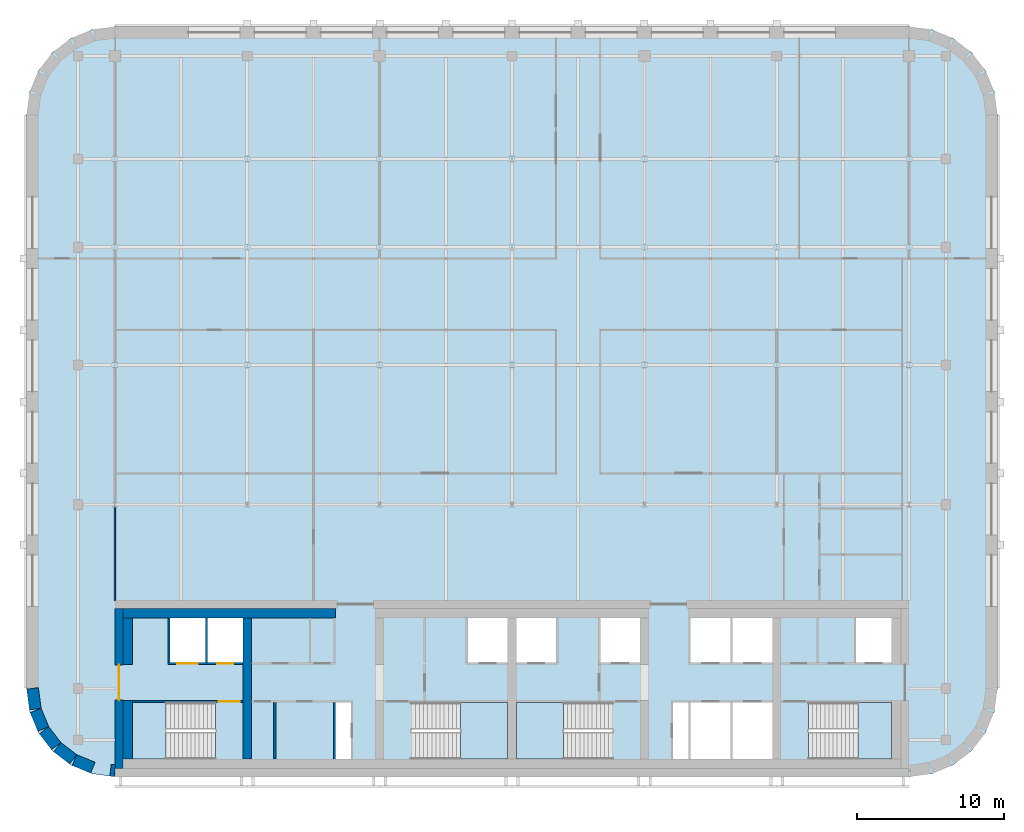
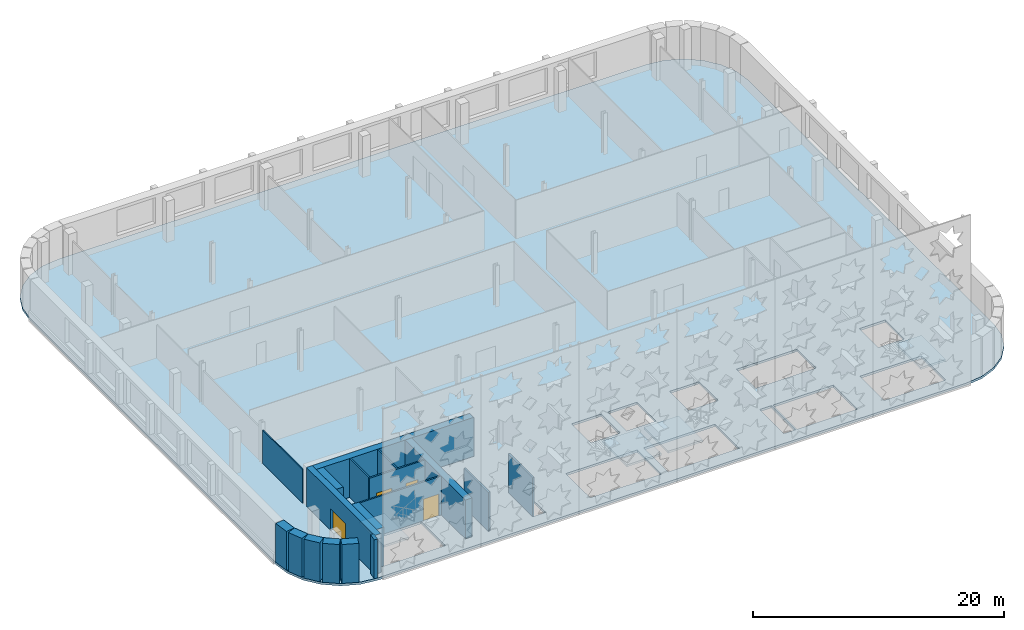
# One storey, part 6 of 14: 18 walls, 5 slabs, 4 doors, 4 openings, 4 elements without a shape of their own.
"""IFC4 building model written with IfcOpenShell, lengths in metres."""

from ifc_helpers import new_model, si_unit, direction, frame, frame_2d, origin, place, context, subcontext, project, spatial, polyline, rectangle, outline, extrude, material, layer, layer_set, type_object, element, fill, aggregate, save


model = new_model("IFC4")

# Units and contexts
model_context = context("Model", 3, precision=1e-05, world=origin(), true_north=direction((0.0, 1.0)))
body_context = subcontext(model_context, "Body", "Model", "MODEL_VIEW")
ifc_project = project(units=[si_unit("LENGTHUNIT", "METRE"), si_unit("AREAUNIT", "SQUARE_METRE"), si_unit("VOLUMEUNIT", "CUBIC_METRE"), si_unit("PLANEANGLEUNIT", "RADIAN"), si_unit("MASSUNIT", "GRAM", prefix="KILO")], contexts=[model_context])

# Site, building, storey
site_placement = place(None, origin())
site = spatial("IfcSite", under=ifc_project, at=site_placement, CompositionType="ELEMENT")
building_placement = place(site_placement, origin())
building = spatial("IfcBuilding", under=site, at=building_placement, Name="Zellij Exchange Tower", CompositionType="ELEMENT")
storey_placement = place(building_placement, frame((0.0, 0.0, 288.5)))
storey = spatial("IfcBuildingStorey", under=building, at=storey_placement, Name="L68", CompositionType="ELEMENT", Elevation=288.5)

# Stair, slab
ifc_material_1 = material(Name="Concrete C40/50", Category="concrete")
stair_type = type_object("IfcStairType", Name="CORE-ST exit stair 1850 wide", PredefinedType="HALF_TURN_STAIR", material=ifc_material_1)
stair_1_placement = place(storey_placement, origin())
stair_1 = element("IfcStair", 1, at=stair_1_placement, inside=storey, type_object=stair_type, Name="L68 exit stair ST1", PredefinedType="HALF_TURN_STAIR")
ifc_layer_1 = layer(ifc_material_1, 0.199951171875)
ifc_layer_set_1 = layer_set([ifc_layer_1], Name="Concrete C40/50")
slab_type_1 = type_object("IfcSlabType", Name="CORE-SL stair landing 200", PredefinedType="LANDING", material=ifc_layer_set_1)
slab_1_placement = place(storey_placement, frame((0.0, 0.0, 1.800048828125)))
slab_1 = element("IfcSlab", 2, at=slab_1_placement, type_object=slab_type_1, Name="ST1 landing 1", PredefinedType="LANDING", context=body_context, shape_type="SweptSolid", body=[
    extrude(outline(polyline([(-23.510009765625, -8.949951171875), (-25.800048828125, -8.949951171875), (-25.800048828125, -12.800048828125), (-23.510009765625, -12.800048828125), (-23.510009765625, -8.949951171875)])), origin(), (0.0, 0.0, 1.0), 0.199951171875),
])
aggregate(stair_1, [slab_1])

stair_2_placement = place(storey_placement, origin())
stair_2 = element("IfcStair", 3, at=stair_2_placement, inside=storey, type_object=stair_type, Name="L68 exit stair ST2", PredefinedType="HALF_TURN_STAIR")
slab_2_placement = place(storey_placement, frame((0.0, 0.0, 1.800048828125)))
slab_2 = element("IfcSlab", 4, at=slab_2_placement, type_object=slab_type_1, Name="ST2 landing 1", PredefinedType="LANDING", context=body_context, shape_type="SweptSolid", body=[
    extrude(outline(polyline([(-3.489990234375, -12.800048828125), (-0.300048828125, -12.800048828125), (-0.300048828125, -8.949951171875), (-3.489990234375, -8.949951171875), (-3.489990234375, -12.800048828125)])), origin(), (0.0, 0.0, 1.0), 0.199951171875),
])
aggregate(stair_2, [slab_2])

stair_3_placement = place(storey_placement, origin())
stair_3 = element("IfcStair", 5, at=stair_3_placement, inside=storey, type_object=stair_type, Name="L68 exit stair ST3", PredefinedType="HALF_TURN_STAIR")
slab_3_placement = place(storey_placement, frame((0.0, 0.0, 1.800048828125)))
slab_3 = element("IfcSlab", 6, at=slab_3_placement, type_object=slab_type_1, Name="ST3 landing 1", PredefinedType="LANDING", context=body_context, shape_type="SweptSolid", body=[
    extrude(outline(polyline([(3.489990234375, -8.949951171875), (0.300048828125, -8.949951171875), (0.300048828125, -12.800048828125), (3.489990234375, -12.800048828125), (3.489990234375, -8.949951171875)])), origin(), (0.0, 0.0, 1.0), 0.199951171875),
])
aggregate(stair_3, [slab_3])

stair_4_placement = place(storey_placement, origin())
stair_4 = element("IfcStair", 7, at=stair_4_placement, inside=storey, type_object=stair_type, Name="L68 exit stair ST4", PredefinedType="HALF_TURN_STAIR")
slab_4_placement = place(storey_placement, frame((0.0, 0.0, 1.800048828125)))
slab_4 = element("IfcSlab", 8, at=slab_4_placement, type_object=slab_type_1, Name="ST4 landing 1", PredefinedType="LANDING", context=body_context, shape_type="SweptSolid", body=[
    extrude(outline(polyline([(23.510009765625, -12.800048828125), (25.800048828125, -12.800048828125), (25.800048828125, -8.949951171875), (23.510009765625, -8.949951171875), (23.510009765625, -12.800048828125)])), origin(), (0.0, 0.0, 1.0), 0.199951171875),
])
aggregate(stair_4, [slab_4])

# Slab
ifc_layer_2 = layer(ifc_material_1, 0.219970703125)
ifc_layer_set_2 = layer_set([ifc_layer_2], Name="Concrete C40/50")
slab_type_2 = type_object("IfcSlabType", Name="STR-FLOOR SLAB 220 C40/50", PredefinedType="FLOOR", material=ifc_layer_set_2)
slab_5_placement = place(storey_placement, frame((0.0, 0.0, -0.22021484375)))
element("IfcSlab", 9, at=slab_5_placement, inside=storey, type_object=slab_type_2, Name="Floor L68", PredefinedType="FLOOR", context=body_context, shape_type="SweptSolid", body=[
    extrude(outline(polyline([(-27.0, -14.0), (-28.552978515625, -13.795654296875), (-30.0, -13.1962890625), (-31.24267578125, -12.24267578125), (-32.1962890625, -11.0), (-32.795654296875, -9.552978515625), (-33.0, -8.0), (-33.0, 31.0), (-32.795654296875, 32.552978515625), (-32.1962890625, 34.0), (-31.24267578125, 35.24267578125), (-30.0, 36.1962890625), (-28.552978515625, 36.795654296875), (-27.0, 37.0), (27.0, 37.0), (28.552978515625, 36.795654296875), (30.0, 36.1962890625), (31.24267578125, 35.24267578125), (32.1962890625, 34.0), (32.795654296875, 32.552978515625), (33.0, 31.0), (33.0, -8.0), (32.795654296875, -9.552978515625), (32.1962890625, -11.0), (31.24267578125, -12.24267578125), (30.0, -13.1962890625), (28.552978515625, -13.795654296875), (27.0, -14.0), (-27.0, -14.0)]), holes=[polyline([(-25.800048828125, -8.949951171875), (-25.800048828125, -12.800048828125), (-20.153076171875, -12.800048828125), (-20.153076171875, -8.949951171875), (-25.800048828125, -8.949951171875)]), polyline([(-10.949951171875, -8.949951171875), (-12.0, -8.949951171875), (-12.0, -12.800048828125), (-10.949951171875, -12.800048828125), (-10.949951171875, -8.949951171875)]), polyline([(-0.300048828125, -8.949951171875), (-6.846923828125, -8.949951171875), (-6.846923828125, -12.800048828125), (-0.300048828125, -12.800048828125), (-0.300048828125, -8.949951171875)]), polyline([(0.300048828125, -8.949951171875), (0.300048828125, -12.800048828125), (6.846923828125, -12.800048828125), (6.846923828125, -8.949951171875), (0.300048828125, -8.949951171875)]), polyline([(-18.300048828125, -3.199951171875), (-23.25, -3.199951171875), (-23.25, -6.22509765625), (-18.300048828125, -6.22509765625), (-18.300048828125, -3.199951171875)]), polyline([(-0.300048828125, -3.199951171875), (-3.0, -3.199951171875), (-3.0, -6.22509765625), (-0.300048828125, -6.22509765625), (-0.300048828125, -3.199951171875)]), polyline([(0.300048828125, -3.199951171875), (0.300048828125, -6.22509765625), (3.0, -6.22509765625), (3.0, -3.199951171875), (0.300048828125, -3.199951171875)]), polyline([(12.0, -8.949951171875), (10.949951171875, -8.949951171875), (10.949951171875, -12.800048828125), (12.0, -12.800048828125), (12.0, -8.949951171875)]), polyline([(17.699951171875, -8.949951171875), (12.14990234375, -8.949951171875), (12.14990234375, -12.800048828125), (17.699951171875, -12.800048828125), (17.699951171875, -8.949951171875)]), polyline([(25.800048828125, -8.949951171875), (20.153076171875, -8.949951171875), (20.153076171875, -12.800048828125), (25.800048828125, -12.800048828125), (25.800048828125, -8.949951171875)]), polyline([(8.699951171875, -3.199951171875), (6.0, -3.199951171875), (6.0, -6.22509765625), (8.699951171875, -6.22509765625), (8.699951171875, -3.199951171875)]), polyline([(17.699951171875, -3.199951171875), (12.14990234375, -3.199951171875), (12.14990234375, -6.22509765625), (17.699951171875, -6.22509765625), (17.699951171875, -3.199951171875)]), polyline([(25.800048828125, -3.199951171875), (23.39990234375, -3.199951171875), (23.39990234375, -6.22509765625), (25.800048828125, -6.22509765625), (25.800048828125, -3.199951171875)])]), origin(), (0.0, 0.0, 1.0), 0.22021484375),
])

# Walls
ifc_material_2 = material(Name="Concrete C50/60", Category="concrete")
ifc_layer_3 = layer(ifc_material_2, 0.60009765625)
ifc_layer_set_3 = layer_set([ifc_layer_3], Name="Concrete C50/60")
wall_type_1 = type_object("IfcWallType", Name="CORE-CW 600 C50/60", PredefinedType="SHEAR", material=ifc_layer_set_3)
wall_1_placement = place(storey_placement, frame((-18.0, -12.800048828125, 0.0), z_axis=(0.0, 0.0, 1.0), x_axis=(0.0, 1.0, 0.0)))
element("IfcWall", 10, at=wall_1_placement, inside=storey, type_object=wall_type_1, Name="Core cross wall x -18 L68", PredefinedType="SHEAR", context=body_context, shape_type="SweptSolid", body=[
    extrude(rectangle(XDim=9.60009765625, YDim=0.60009765625, at=frame_2d((4.800048828125, 0.0))), origin(), (0.0, 0.0, 1.0), 3.780029296875),
])
ifc_material_3 = material(Name="Concrete C30/37", Category="concrete")
ifc_layer_4 = layer(ifc_material_3, 0.64990234375)
ifc_layer_set_4 = layer_set([ifc_layer_4], Name="Concrete C30/37")
wall_type_2 = type_object("IfcWallType", Name="CORE-LW 650 C30/37", PredefinedType="SHEAR", material=ifc_layer_set_4)
wall_2_placement = place(storey_placement, frame((-26.449951171875, -2.875, 0.0), z_axis=(0.0, 0.0, 1.0), x_axis=(1.0, 0.0, 0.0)))
element("IfcWall", 11, at=wall_2_placement, inside=storey, type_object=wall_type_2, Name="Core wall lining front.0 L68", PredefinedType="SHEAR", context=body_context, shape_type="SweptSolid", body=[
    extrude(rectangle(XDim=14.449951171875, YDim=0.64990234375, at=frame_2d((7.22509765625, 0.0))), origin(), (0.0, 0.0, 1.0), 3.780029296875),
])
wall_3_placement = place(storey_placement, frame((-26.125, -12.800048828125, 0.0), z_axis=(0.0, 0.0, 1.0), x_axis=(0.0, 1.0, 0.0)))
element("IfcWall", 12, at=wall_3_placement, inside=storey, type_object=wall_type_2, Name="Core wall lining end w.0 L68", PredefinedType="SHEAR", context=body_context, shape_type="SweptSolid", body=[
    extrude(rectangle(XDim=4.0, YDim=0.64990234375, at=frame_2d((2.0, 0.0))), origin(), (0.0, 0.0, 1.0), 3.780029296875),
])
wall_4_placement = place(storey_placement, frame((-26.125, -6.375, 0.0), z_axis=(0.0, 0.0, 1.0), x_axis=(0.0, 1.0, 0.0)))
element("IfcWall", 13, at=wall_4_placement, inside=storey, type_object=wall_type_2, Name="Core wall lining end w.1 L68", PredefinedType="SHEAR", context=body_context, shape_type="SweptSolid", body=[
    extrude(rectangle(XDim=3.175048828125, YDim=0.64990234375, at=frame_2d((1.58740234375, 0.0))), origin(), (0.0, 0.0, 1.0), 3.780029296875),
])
ifc_material_4 = material(Name="Gypsum board partition")
ifc_layer_5 = layer(ifc_material_4, 0.14990234375)
ifc_layer_set_5 = layer_set([ifc_layer_5], Name="Gypsum board partition")
wall_type_3 = type_object("IfcWallType", Name="CORE-PW 150 Lift lobby wall", PredefinedType="PARTITIONING", material=ifc_layer_set_5)
for number, where, z_axis, x_axis, name in (
    (14, (-12.074951171875, -12.800048828125, 0.0), (0.0, 0.0, 1.0), (0.0, 1.0, 0.0), "Lift lobby wall L68"),
    (15, (-16.125, -12.800048828125, 0.0), (0.0, 0.0, 1.0), (0.0, 1.0, 0.0), "Lift lobby wall L68"),
):
    element("IfcWall", number, at=place(storey_placement, frame(where, z_axis=z_axis, x_axis=x_axis)), inside=storey, type_object=wall_type_3, Name=name, PredefinedType="PARTITIONING", context=body_context, shape_type="SweptSolid", body=[
        extrude(rectangle(XDim=3.85009765625, YDim=0.14990234375, at=frame_2d((1.925048828125, 0.0))), origin(), (0.0, 0.0, 1.0), 3.780029296875),
    ])
ifc_material_5 = material(Name="Gypsum shaft wall system")
ifc_layer_6 = layer(ifc_material_5, 0.14990234375)
ifc_layer_set_6 = layer_set([ifc_layer_6], Name="Gypsum shaft wall system")
wall_type_4 = type_object("IfcWallType", Name="CORE-PW 150 Lift shaft wall", PredefinedType="PARTITIONING", material=ifc_layer_set_6)
for number, where, z_axis, x_axis, name in (
    (16, (-20.77490234375, -6.22509765625, 0.0), (0.0, 0.0, 1.0), (0.0, 1.0, 0.0), "Lift shaft wall L68"),
    (17, (-23.324951171875, -6.22509765625, 0.0), (0.0, 0.0, 1.0), (0.0, 1.0, 0.0), "Lift shaft wall L68"),
):
    element("IfcWall", number, at=place(storey_placement, frame(where, z_axis=z_axis, x_axis=x_axis)), inside=storey, type_object=wall_type_4, Name=name, PredefinedType="PARTITIONING", context=body_context, shape_type="SweptSolid", body=[
        extrude(rectangle(XDim=3.025146484375, YDim=0.14990234375, at=frame_2d((1.5126953125, 0.0))), origin(), (0.0, 0.0, 1.0), 3.780029296875),
    ])

# Wall, openings, doors
wall_5_placement = place(storey_placement, frame((-23.39990234375, -6.300048828125, 0.0), z_axis=(0.0, 0.0, 1.0), x_axis=(1.0, 0.0, 0.0)))
wall_5 = element("IfcWall", 18, at=wall_5_placement, inside=storey, type_object=wall_type_4, Name="Lift shaft wall L68", PredefinedType="PARTITIONING", context=body_context, shape_type="SweptSolid", body=[
    extrude(rectangle(XDim=5.099853515625, YDim=0.14990234375, at=frame_2d((2.5498046875, 0.0))), origin(), (0.0, 0.0, 1.0), 3.780029296875),
])
opening_1_placement = place(wall_5_placement, frame((0.64990234375, 0.0, 0.0)))
opening_1 = element("IfcOpeningElement", 19, at=opening_1_placement, cuts=wall_5, Name="Opening CA-35.02", PredefinedType="OPENING", context=body_context, shape_type="SweptSolid", body=[
    extrude(rectangle(XDim=1.39990234375, YDim=2.10009765625, at=frame_2d((0.699951171875, 1.050048828125))), frame((0.0, 0.0869140625, 0.0), z_axis=(0.0, -1.0, 0.0), x_axis=(1.0, 0.0, 0.0)), (0.0, 0.0, 1.0), 0.173828125),
])
opening_2_placement = place(wall_5_placement, frame((3.35009765625, 0.0, 0.0)))
opening_2 = element("IfcOpeningElement", 20, at=opening_2_placement, cuts=wall_5, Name="Opening CA-35.03", PredefinedType="OPENING", context=body_context, shape_type="SweptSolid", body=[
    extrude(rectangle(XDim=1.10009765625, YDim=2.10009765625, at=frame_2d((0.550048828125, 1.050048828125))), frame((0.0, 0.0869140625, 0.0), z_axis=(0.0, -1.0, 0.0), x_axis=(1.0, 0.0, 0.0)), (0.0, 0.0, 1.0), 0.173828125),
])
ifc_material_6 = material(Name="Hollow metal fire door")
door_type_1 = type_object("IfcDoorType", Name="CORE-D LD Lift landing door 1100x2100 1.5 HR", OperationType="NOTDEFINED", PredefinedType="DOOR", material=ifc_material_6)
door_1_placement = place(opening_2_placement, origin())
door_1 = element("IfcDoor", 21, at=door_1_placement, inside=storey, type_object=door_type_1, Name="Lift landing door CA-35.03", OperationType="SLIDING_TO_LEFT", OverallHeight=2.10009765625, OverallWidth=1.10009765625, PredefinedType="DOOR", context=body_context, shape_type="SweptSolid", body=[
    extrude(rectangle(XDim=1.10009765625, YDim=2.10009765625, at=frame_2d((0.550048828125, 1.050048828125))), frame((0.0, 0.02490234375, 0.0), z_axis=(0.0, -1.0, 0.0), x_axis=(1.0, 0.0, 0.0)), (0.0, 0.0, 1.0), 0.050048828125),
])
fill(opening_2, door_1)
door_type_2 = type_object("IfcDoorType", Name="CORE-D LD2 Service lift landing door 1400x2100 1.5 HR", OperationType="NOTDEFINED", PredefinedType="DOOR", material=ifc_material_6)
door_2_placement = place(opening_1_placement, origin())
door_2 = element("IfcDoor", 22, at=door_2_placement, inside=storey, type_object=door_type_2, Name="Service lift landing door CA-35.02", OperationType="SLIDING_TO_RIGHT", OverallHeight=2.10009765625, OverallWidth=1.39990234375, PredefinedType="DOOR", context=body_context, shape_type="SweptSolid", body=[
    extrude(rectangle(XDim=1.39990234375, YDim=2.10009765625, at=frame_2d((0.699951171875, 1.050048828125))), frame((0.0, 0.02490234375, 0.0), z_axis=(0.0, -1.0, 0.0), x_axis=(1.0, 0.0, 0.0)), (0.0, 0.0, 1.0), 0.050048828125),
])
fill(opening_1, door_2)

# Wall, opening, door
ifc_layer_7 = layer(ifc_material_2, 0.550048828125)
ifc_layer_set_7 = layer_set([ifc_layer_7], Name="Concrete C50/60")
wall_type_5 = type_object("IfcWallType", Name="CORE-SW 550 C50/60", PredefinedType="SHEAR", material=ifc_layer_set_7)
wall_6_placement = place(storey_placement, frame((-26.72509765625, -13.449951171875, 0.0), z_axis=(0.0, 0.0, 1.0), x_axis=(0.0, 1.0, 0.0)))
wall_6 = element("IfcWall", 23, at=wall_6_placement, inside=storey, type_object=wall_type_5, Name="Core shear wall end w L68", PredefinedType="SHEAR", context=body_context, shape_type="SweptSolid", body=[
    extrude(rectangle(XDim=10.89990234375, YDim=0.550048828125, at=frame_2d((5.449951171875, 0.0))), origin(), (0.0, 0.0, 1.0), 3.780029296875),
])
opening_3_placement = place(wall_6_placement, frame((4.662109375, 0.0, 0.0)))
opening_3 = element("IfcOpeningElement", 24, at=opening_3_placement, cuts=wall_6, Name="Opening CA-35.01", PredefinedType="OPENING", context=body_context, shape_type="SweptSolid", body=[
    extrude(rectangle(XDim=2.39990234375, YDim=2.10009765625, at=frame_2d((1.199951171875, 1.050048828125))), frame((0.0, 0.287109375, 0.0), z_axis=(0.0, -1.0, 0.0), x_axis=(1.0, 0.0, 0.0)), (0.0, 0.0, 1.0), 0.573974609375),
])
door_type_3 = type_object("IfcDoorType", Name="CORE-D CE Core entrance door 2400x2100 20 MIN", OperationType="NOTDEFINED", PredefinedType="DOOR", material=ifc_material_6)
door_3_placement = place(opening_3_placement, origin())
door_3 = element("IfcDoor", 25, at=door_3_placement, inside=storey, type_object=door_type_3, Name="Core entrance door CA-35.01", OperationType="DOUBLE_DOOR_SINGLE_SWING", OverallHeight=2.10009765625, OverallWidth=2.39990234375, PredefinedType="DOOR", context=body_context, shape_type="SweptSolid", body=[
    extrude(rectangle(XDim=2.39990234375, YDim=2.10009765625, at=frame_2d((1.199951171875, 1.050048828125))), frame((0.0, 0.02490234375, 0.0), z_axis=(0.0, -1.0, 0.0), x_axis=(1.0, 0.0, 0.0)), (0.0, 0.0, 1.0), 0.050048828125),
])
fill(opening_3, door_3)

ifc_layer_8 = layer(ifc_material_2, 0.14990234375)
ifc_layer_set_8 = layer_set([ifc_layer_8], Name="Concrete C50/60")
wall_type_6 = type_object("IfcWallType", Name="CORE-SWS 150 C50/60", PredefinedType="SHEAR", material=ifc_layer_set_8)
wall_7_placement = place(storey_placement, frame((-25.800048828125, -8.875, 0.0), z_axis=(0.0, 0.0, 1.0), x_axis=(1.0, 0.0, 0.0)))
wall_7 = element("IfcWall", 26, at=wall_7_placement, inside=storey, type_object=wall_type_6, Name="Stair enclosure wall L68", PredefinedType="SHEAR", context=body_context, shape_type="SweptSolid", body=[
    extrude(rectangle(XDim=7.5, YDim=0.14990234375, at=frame_2d((3.75, 0.0))), origin(), (0.0, 0.0, 1.0), 3.780029296875),
])
opening_4_placement = place(wall_7_placement, frame((5.875, 0.0, 0.0)))
opening_4 = element("IfcOpeningElement", 27, at=opening_4_placement, cuts=wall_7, Name="Opening CA-35.04", PredefinedType="OPENING", context=body_context, shape_type="SweptSolid", body=[
    extrude(rectangle(XDim=1.39990234375, YDim=2.10009765625, at=frame_2d((0.699951171875, 1.050048828125))), frame((0.0, 0.0869140625, 0.0), z_axis=(0.0, -1.0, 0.0), x_axis=(1.0, 0.0, 0.0)), (0.0, 0.0, 1.0), 0.173828125),
])
door_type_4 = type_object("IfcDoorType", Name="CORE-D SD Stair door 1400x2100 1.5 HR", OperationType="NOTDEFINED", PredefinedType="DOOR", material=ifc_material_6)
door_4_placement = place(opening_4_placement, origin())
door_4 = element("IfcDoor", 28, at=door_4_placement, inside=storey, type_object=door_type_4, Name="Stair door CA-35.04", OperationType="DOUBLE_DOOR_SINGLE_SWING", OverallHeight=2.10009765625, OverallWidth=1.39990234375, PredefinedType="DOOR", context=body_context, shape_type="SweptSolid", body=[
    extrude(rectangle(XDim=1.39990234375, YDim=2.10009765625, at=frame_2d((0.699951171875, 1.050048828125))), frame((0.0, 0.02490234375, 0.0), z_axis=(0.0, -1.0, 0.0), x_axis=(1.0, 0.0, 0.0)), (0.0, 0.0, 1.0), 0.050048828125),
])
fill(opening_4, door_4)

# Walls
ifc_material_7 = material(Name="Precast concrete C40/50", Category="concrete")
ifc_layer_9 = layer(ifc_material_7, 0.800048828125)
ifc_layer_set_9 = layer_set([ifc_layer_9], Name="Precast concrete C40/50")
wall_type_7 = type_object("IfcWallType", Name="ENV-EW1 Precast stone-piered wall 800", PredefinedType="SOLIDWALL", material=ifc_layer_set_9)
wall_8_placement = place(storey_placement, frame((-32.5966796875, -7.999755859375, 0.0), z_axis=(0.0, 0.0, 1.0), x_axis=(0.130517283865, -0.99144603414, 0.0)))
element("IfcWall", 29, at=wall_8_placement, inside=storey, type_object=wall_type_7, Name="fac.L68.22", PredefinedType="SOLIDWALL", context=body_context, shape_type="SweptSolid", body=[
    extrude(rectangle(XDim=1.408447265625, YDim=0.800048828125, at=frame_2d((0.7041015625, 0.0))), origin(), (0.0, 0.0, 1.0), 3.780029296875),
])
wall_9_placement = place(storey_placement, frame((-32.3857421875, -9.497314453125, 0.0), z_axis=(0.0, 0.0, 1.0), x_axis=(0.38276009378, -0.923847774587, 0.0)))
element("IfcWall", 30, at=wall_9_placement, inside=storey, type_object=wall_type_7, Name="fac.L68.23", PredefinedType="SOLIDWALL", context=body_context, shape_type="SweptSolid", body=[
    extrude(rectangle(XDim=1.35546875, YDim=0.800048828125, at=frame_2d((0.677734375, 0.0))), origin(), (0.0, 0.0, 1.0), 3.780029296875),
])
for number, where, z_axis, x_axis, name in (
    (31, (-31.814697265625, -10.840087890625, 0.0), (0.0, 0.0, 1.0), (0.608866226366, -0.793272915452, 0.0), "fac.L68.24"),
    (32, (-30.91552734375, -11.9892578125, 0.0), (0.0, 0.0, 1.0), (0.793272915452, -0.608866226366, 0.0), "fac.L68.25"),
):
    element("IfcWall", number, at=place(storey_placement, frame(where, z_axis=z_axis, x_axis=x_axis)), inside=storey, type_object=wall_type_7, Name=name, PredefinedType="SOLIDWALL", context=body_context, shape_type="SweptSolid", body=[
        extrude(rectangle(XDim=1.355712890625, YDim=0.800048828125, at=frame_2d((0.677734375, 0.0))), origin(), (0.0, 0.0, 1.0), 3.780029296875),
    ])
wall_10_placement = place(storey_placement, frame((-29.74951171875, -12.866943359375, 0.0), z_axis=(0.0, 0.0, 1.0), x_axis=(0.923847774587, -0.38276009378, 0.0)))
element("IfcWall", 33, at=wall_10_placement, inside=storey, type_object=wall_type_7, Name="fac.L68.26", PredefinedType="SOLIDWALL", context=body_context, shape_type="SweptSolid", body=[
    extrude(rectangle(XDim=1.35546875, YDim=0.800048828125, at=frame_2d((0.677734375, 0.0))), origin(), (0.0, 0.0, 1.0), 3.780029296875),
])
wall_11_placement = place(storey_placement, frame((-27.295654296875, -13.5576171875, 0.0), z_axis=(0.0, 0.0, 1.0), x_axis=(0.991398522068, -0.130877692682, 0.0)))
element("IfcWall", 34, at=wall_11_placement, inside=storey, type_object=wall_type_7, Name="fac.L68.27", PredefinedType="SOLIDWALL", context=body_context, shape_type="SweptSolid", body=[
    extrude(rectangle(XDim=0.298583984375, YDim=0.800048828125, at=frame_2d((0.1494140625, 0.0))), origin(), (0.0, 0.0, 1.0), 3.780029296875),
])
ifc_material_8 = material(Name="Gypsum board partition on steel studs", Category="steel")
ifc_layer_10 = layer(ifc_material_8, 0.10009765625)
ifc_layer_set_10 = layer_set([ifc_layer_10], Name="Gypsum board partition on steel studs")
wall_type_8 = type_object("IfcWallType", Name="FIT-PARTITION-100", PredefinedType="PARTITIONING", material=ifc_layer_set_10)
wall_12_placement = place(storey_placement, frame((-27.0, -2.0, 0.0), z_axis=(0.0, 0.0, 1.0), x_axis=(0.0, 1.0, 0.0)))
element("IfcWall", 35, at=wall_12_placement, inside=storey, type_object=wall_type_8, Name="FIT-PARTITION-100 001", PredefinedType="PARTITIONING", context=body_context, shape_type="SweptSolid", body=[
    extrude(rectangle(XDim=6.322265625, YDim=0.10009765625, at=frame_2d((3.1611328125, 0.0))), origin(), (0.0, 0.0, 1.0), 3.24658203125),
])

save(model, "model.ifc")
